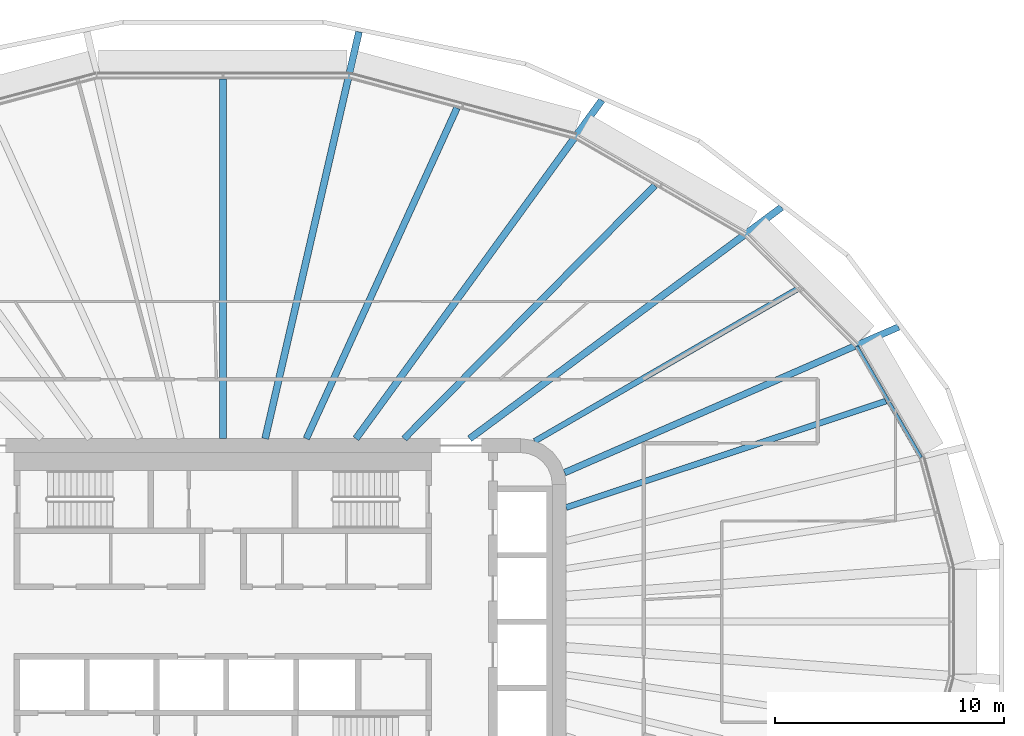
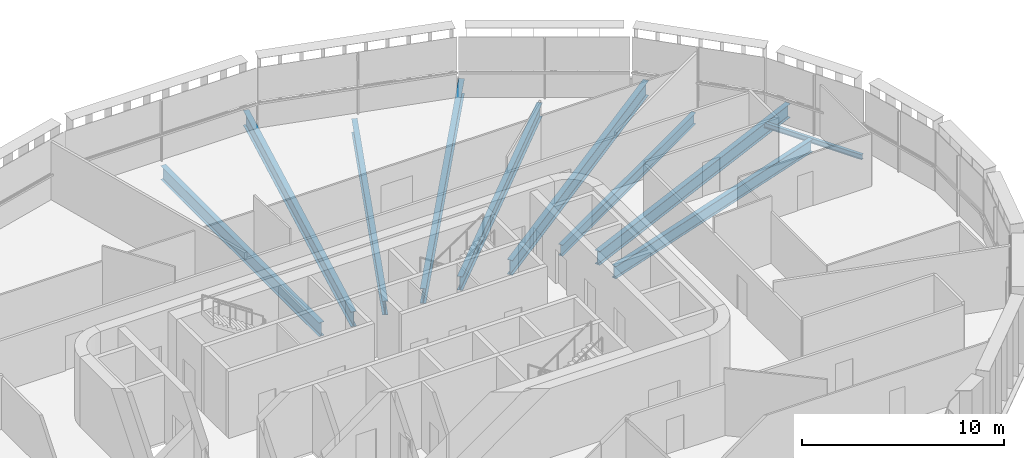
# One storey, part 9 of 25: 10 beams.
"""IFC4 building model written with IfcOpenShell, lengths in metres."""

from ifc_helpers import new_model, si_unit, direction, frame, origin, origin_2d, place, context, subcontext, project, spatial, i_section, extrude, material, material_profile, profile_set, type_object, element, save


model = new_model("IFC4")

# Units and contexts
model_context = context("Model", 3, precision=1e-05, world=origin(), true_north=direction((0.0, 1.0)))
body_context = subcontext(model_context, "Body", "Model", "MODEL_VIEW")
ifc_project = project(units=[si_unit("LENGTHUNIT", "METRE"), si_unit("AREAUNIT", "SQUARE_METRE"), si_unit("VOLUMEUNIT", "CUBIC_METRE"), si_unit("PLANEANGLEUNIT", "RADIAN"), si_unit("MASSUNIT", "GRAM", prefix="KILO")], contexts=[model_context])

# Site, building, storey
site_placement = place(None, origin())
site = spatial("IfcSite", under=ifc_project, at=site_placement, CompositionType="ELEMENT")
building_placement = place(site_placement, origin())
building = spatial("IfcBuilding", under=site, at=building_placement, Name="Sahrelin Media Tower", CompositionType="ELEMENT")
storey_placement = place(building_placement, frame((0.0, 0.0, 106.199951171875)))
storey = spatial("IfcBuildingStorey", under=building, at=storey_placement, Name="L20", CompositionType="ELEMENT", Elevation=106.199951171875)

# Beams
ifc_material = material(Name="Steel S355", Category="steel")
ifc_material_profile_1 = material_profile(ifc_material, i_section(OverallWidth=0.1650390625, OverallDepth=0.303466796875, WebThickness=0.006103515625, FlangeThickness=0.01025390625, FilletRadius=0.0087890625, at=origin_2d()), Name="UB 305x165x40")
ifc_profile_set_1 = profile_set([ifc_material_profile_1], Name="Steel S355")
beam_type_1 = type_object("IfcBeamType", Name="Edge beam EB2", PredefinedType="BEAM", material=ifc_profile_set_1)
beam_1_placement = place(storey_placement, frame((27.698486328125, 12.025634765625, -0.3017578125), z_axis=(0.500017404508, -0.866015355054, 0.0), x_axis=(0.866015355054, 0.500017404508, 0.0)))
element("IfcBeam", 1, at=beam_1_placement, inside=storey, type_object=beam_type_1, Name="Edge beam L20-23", PredefinedType="BEAM", context=body_context, shape_type="SweptSolid", body=[
    extrude(i_section(OverallWidth=0.1650390625, OverallDepth=0.303466796875, WebThickness=0.006103515625, FlangeThickness=0.01025390625, FilletRadius=0.0087890625, at=origin_2d()), origin(), (0.0, 0.0, 1.0), 5.612548828125),
])
ifc_material_profile_2 = material_profile(ifc_material, i_section(OverallWidth=0.291748046875, OverallDepth=0.8349609375, WebThickness=0.013916015625, FlangeThickness=0.018798828125, FilletRadius=0.017822265625, at=origin_2d()), Name="UB 838x292x176")
ifc_profile_set_2 = profile_set([ifc_material_profile_2], Name="Steel S355")
beam_type_2 = type_object("IfcBeamType", Name="Radial primary beam PB10", PredefinedType="BEAM", material=ifc_profile_set_2)
beam_2_placement = place(storey_placement, frame((14.9326171875, 6.512939453125, -0.5673828125), z_axis=(0.916604953185, 0.399794146777, 0.0), x_axis=(-0.399794146777, 0.916604953185, 0.0)))
element("IfcBeam", 2, at=beam_2_placement, inside=storey, type_object=beam_type_2, Name="Radial beam L20-03", PredefinedType="BEAM", context=body_context, shape_type="SweptSolid", body=[
    extrude(i_section(OverallWidth=0.291748046875, OverallDepth=0.8349609375, WebThickness=0.013916015625, FlangeThickness=0.018798828125, FilletRadius=0.017822265625, at=origin_2d()), origin(), (0.0, 0.0, 1.0), 15.927490234375),
])
ifc_material_profile_3 = material_profile(ifc_material, i_section(OverallWidth=0.30322265625, OverallDepth=0.903076171875, WebThickness=0.01513671875, FlangeThickness=0.020263671875, FilletRadius=0.01904296875, at=origin_2d()), Name="UB 914x305x201")
ifc_profile_set_3 = profile_set([ifc_material_profile_3], Name="Steel S355")
beam_type_3 = type_object("IfcBeamType", Name="Radial primary beam PB11", PredefinedType="BEAM", material=ifc_profile_set_3)
beam_3_placement = place(storey_placement, frame((10.78466796875, 8.0, -0.6015625), z_axis=(0.803155745006, 0.595769124127, 0.0), x_axis=(-0.595769124127, 0.803155745006, 0.0)))
element("IfcBeam", 3, at=beam_3_placement, inside=storey, type_object=beam_type_3, Name="Radial beam L20-04", PredefinedType="BEAM", context=body_context, shape_type="SweptSolid", body=[
    extrude(i_section(OverallWidth=0.30322265625, OverallDepth=0.903076171875, WebThickness=0.01513671875, FlangeThickness=0.020263671875, FilletRadius=0.01904296875, at=origin_2d()), origin(), (0.0, 0.0, 1.0), 16.9755859375),
])
beam_4_placement = place(storey_placement, frame((5.8125, 8.0, -0.6015625), z_axis=(0.587804906346, 0.809002714505, 0.0), x_axis=(-0.809002714505, 0.587804906346, 0.0)))
element("IfcBeam", 4, at=beam_4_placement, inside=storey, type_object=beam_type_3, Name="Radial beam L20-05", PredefinedType="BEAM", context=body_context, shape_type="SweptSolid", body=[
    extrude(i_section(OverallWidth=0.30322265625, OverallDepth=0.903076171875, WebThickness=0.01513671875, FlangeThickness=0.020263671875, FilletRadius=0.01904296875, at=origin_2d()), origin(), (0.0, 0.0, 1.0), 18.28759765625),
])
beam_5_placement = place(storey_placement, frame((1.845458984375, 8.0, -0.6015625), z_axis=(0.224770597267, 0.974411708984, 0.0), x_axis=(-0.974411708984, 0.224770597267, 0.0)))
element("IfcBeam", 5, at=beam_5_placement, inside=storey, type_object=beam_type_3, Name="Radial beam L20-06", PredefinedType="BEAM", context=body_context, shape_type="SweptSolid", body=[
    extrude(i_section(OverallWidth=0.30322265625, OverallDepth=0.903076171875, WebThickness=0.01513671875, FlangeThickness=0.020263671875, FilletRadius=0.01904296875, at=origin_2d()), origin(), (0.0, 0.0, 1.0), 18.25),
])
ifc_material_profile_4 = material_profile(ifc_material, i_section(OverallWidth=0.291748046875, OverallDepth=0.8349609375, WebThickness=0.013916015625, FlangeThickness=0.018798828125, FilletRadius=0.017822265625, at=origin_2d()), Name="UB 838x292x176")
ifc_profile_set_4 = profile_set([ifc_material_profile_4], Name="Steel S355")
beam_type_4 = type_object("IfcBeamType", Name="Radial secondary beam SB10", PredefinedType="BEAM", material=ifc_profile_set_4)
beam_6_placement = place(storey_placement, frame((7.92138671875, 8.0, -0.5673828125), z_axis=(0.703602310212, 0.7105939692, 0.0), x_axis=(-0.7105939692, 0.703602310212, 0.0)))
element("IfcBeam", 6, at=beam_6_placement, inside=storey, type_object=beam_type_4, Name="Secondary beam L20-04", PredefinedType="BEAM", context=body_context, shape_type="SweptSolid", body=[
    extrude(i_section(OverallWidth=0.291748046875, OverallDepth=0.8349609375, WebThickness=0.013916015625, FlangeThickness=0.018798828125, FilletRadius=0.017822265625, at=origin_2d()), origin(), (0.0, 0.0, 1.0), 15.57373046875),
])
beam_7_placement = place(storey_placement, frame((3.64501953125, 8.0, -0.5673828125), z_axis=(0.414626132753, 0.909991851633, 0.0), x_axis=(-0.909991851633, 0.414626132753, 0.0)))
element("IfcBeam", 7, at=beam_7_placement, inside=storey, type_object=beam_type_4, Name="Secondary beam L20-05", PredefinedType="BEAM", context=body_context, shape_type="SweptSolid", body=[
    extrude(i_section(OverallWidth=0.291748046875, OverallDepth=0.8349609375, WebThickness=0.013916015625, FlangeThickness=0.018798828125, FilletRadius=0.017822265625, at=origin_2d()), origin(), (0.0, 0.0, 1.0), 15.884033203125),
])
beam_8_placement = place(storey_placement, frame((0.0, 8.0, -0.5673828125), z_axis=(0.0, 1.0, 0.0), x_axis=(-1.0, 0.0, 0.0)))
element("IfcBeam", 8, at=beam_8_placement, inside=storey, type_object=beam_type_4, Name="Secondary beam L20-06", PredefinedType="BEAM", context=body_context, shape_type="SweptSolid", body=[
    extrude(i_section(OverallWidth=0.291748046875, OverallDepth=0.8349609375, WebThickness=0.013916015625, FlangeThickness=0.018798828125, FilletRadius=0.017822265625, at=origin_2d()), origin(), (0.0, 0.0, 1.0), 15.71337890625),
])
ifc_material_profile_5 = material_profile(ifc_material, i_section(OverallWidth=0.2529296875, OverallDepth=0.677978515625, WebThickness=0.01171875, FlangeThickness=0.01611328125, FilletRadius=0.01513671875, at=origin_2d()), Name="UB 686x254x125")
ifc_profile_set_5 = profile_set([ifc_material_profile_5], Name="Steel S355")
beam_type_5 = type_object("IfcBeamType", Name="Radial secondary beam SB8", PredefinedType="BEAM", material=ifc_profile_set_5)
beam_9_placement = place(storey_placement, frame((13.625, 7.887451171875, -0.48876953125), z_axis=(0.865447741605, 0.500999208134, 0.0), x_axis=(-0.500999208134, 0.865447741605, 0.0)))
element("IfcBeam", 9, at=beam_9_placement, inside=storey, type_object=beam_type_5, Name="Secondary beam L20-03", PredefinedType="BEAM", context=body_context, shape_type="SweptSolid", body=[
    extrude(i_section(OverallWidth=0.2529296875, OverallDepth=0.677978515625, WebThickness=0.01171875, FlangeThickness=0.01611328125, FilletRadius=0.01513671875, at=origin_2d()), origin(), (0.0, 0.0, 1.0), 13.2431640625),
])
ifc_material_profile_6 = material_profile(ifc_material, i_section(OverallWidth=0.26513671875, OverallDepth=0.75390625, WebThickness=0.0126953125, FlangeThickness=0.017578125, FilletRadius=0.0166015625, at=origin_2d()), Name="UB 762x267x147")
ifc_profile_set_6 = profile_set([ifc_material_profile_6], Name="Steel S355")
beam_type_6 = type_object("IfcBeamType", Name="Radial secondary beam SB9", PredefinedType="BEAM", material=ifc_profile_set_6)
beam_10_placement = place(storey_placement, frame((15.0, 4.989990234375, -0.52685546875), z_axis=(0.948863762476, 0.31568585692, 0.0), x_axis=(-0.31568585692, 0.948863762476, 0.0)))
element("IfcBeam", 10, at=beam_10_placement, inside=storey, type_object=beam_type_6, Name="Secondary beam L20-02", PredefinedType="BEAM", context=body_context, shape_type="SweptSolid", body=[
    extrude(i_section(OverallWidth=0.26513671875, OverallDepth=0.75390625, WebThickness=0.0126953125, FlangeThickness=0.017578125, FilletRadius=0.0166015625, at=origin_2d()), origin(), (0.0, 0.0, 1.0), 14.7333984375),
])

save(model, "model.ifc")
